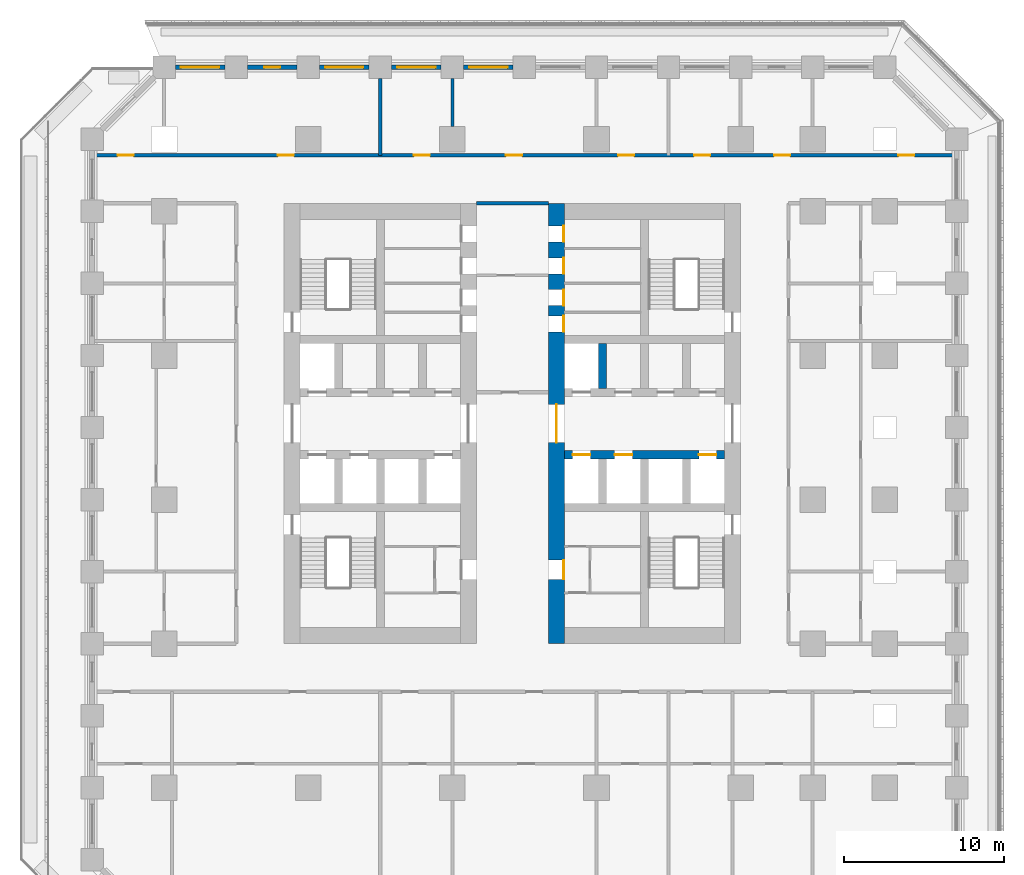
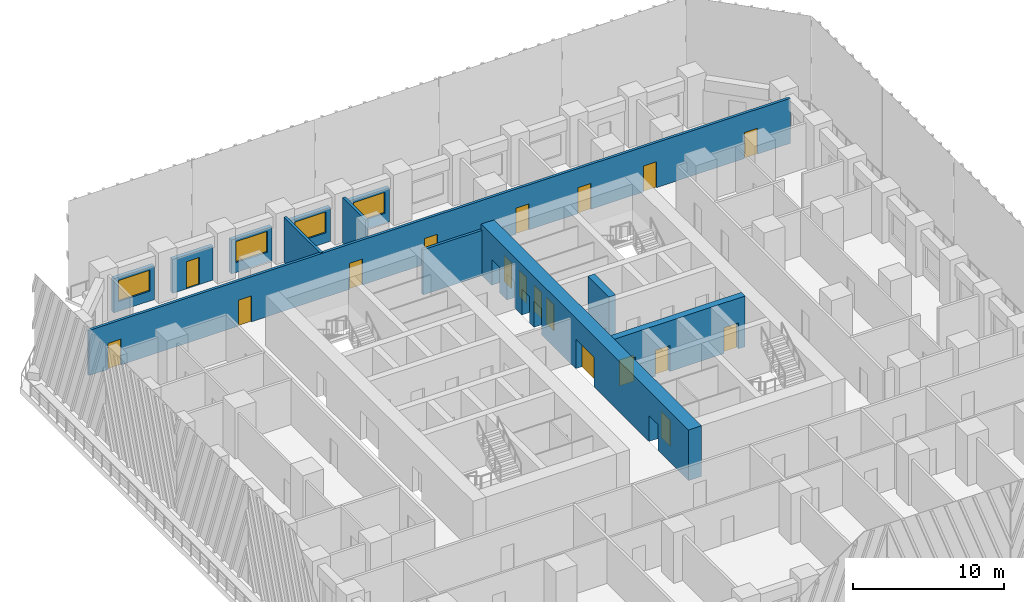
# One storey, part 7 of 15: 18 doors, 12 walls, 4 windows, 22 openings.
"""IFC4 building model written with IfcOpenShell, lengths in metres."""

from ifc_helpers import new_model, si_unit, direction, frame, frame_2d, origin, place, context, subcontext, project, spatial, rectangle, extrude, material, layer, layer_set, type_object, element, fill, save


model = new_model("IFC4")

# Units and contexts
model_context = context("Model", 3, precision=1e-05, world=origin(), true_north=direction((0.0, 1.0)))
body_context = subcontext(model_context, "Body", "Model", "MODEL_VIEW")
ifc_project = project(units=[si_unit("LENGTHUNIT", "METRE"), si_unit("AREAUNIT", "SQUARE_METRE"), si_unit("VOLUMEUNIT", "CUBIC_METRE"), si_unit("PLANEANGLEUNIT", "RADIAN"), si_unit("MASSUNIT", "GRAM", prefix="KILO")], contexts=[model_context])

# Site, building, storey
site_placement = place(None, origin())
site = spatial("IfcSite", under=ifc_project, at=site_placement, CompositionType="ELEMENT")
building_placement = place(site_placement, origin())
building = spatial("IfcBuilding", under=site, at=building_placement, Name="Corbel Stack Research Tower", CompositionType="ELEMENT")
storey_placement = place(building_placement, frame((0.0, 0.0, 41.89990234375)))
storey = spatial("IfcBuildingStorey", under=building, at=storey_placement, Name="L09", CompositionType="ELEMENT", Elevation=41.89990234375)

# Wall, openings, doors
ifc_material_1 = material(Name="Concrete C70/85", Category="concrete")
ifc_layer_1 = layer(ifc_material_1, 1.0)
ifc_layer_set_1 = layer_set([ifc_layer_1], Name="Concrete C70/85")
wall_type_1 = type_object("IfcWallType", Name="CW-1000-70", PredefinedType="SHEAR", material=ifc_layer_set_1)
wall_1_placement = place(storey_placement, frame((6.5, -9.0, 0.0), z_axis=(0.0, 0.0, 1.0), x_axis=(0.0, 1.0, 0.0)))
wall_1 = element("IfcWall", 1, at=wall_1_placement, inside=storey, type_object=wall_type_1, Name="East core wall, west face L09", PredefinedType="SHEAR", context=body_context, shape_type="SweptSolid", body=[
    extrude(rectangle(XDim=27.5, YDim=1.0, at=frame_2d((13.75, 0.0))), origin(), (0.0, 0.0, 1.0), 4.10009765625),
])
opening_1_placement = place(wall_1_placement, frame((12.550048828125, 0.0, 0.0)))
opening_1 = element("IfcOpeningElement", 2, at=opening_1_placement, cuts=wall_1, Name="Opening CD-E-W", PredefinedType="OPENING", context=body_context, shape_type="SweptSolid", body=[
    extrude(rectangle(XDim=2.39990234375, YDim=2.39990234375, at=frame_2d((1.199951171875, 1.199951171875))), frame((0.0, 0.510009765625, 0.0), z_axis=(0.0, -1.0, 0.0), x_axis=(1.0, 0.0, 0.0)), (0.0, 0.0, 1.0), 1.02001953125),
])
opening_2_placement = place(wall_1_placement, frame((4.02490234375, 0.0, 0.0)))
opening_2 = element("IfcOpeningElement", 3, at=opening_2_placement, cuts=wall_1, Name="Opening CR-E36-W1-1200", PredefinedType="OPENING", context=body_context, shape_type="SweptSolid", body=[
    extrude(rectangle(XDim=1.199951171875, YDim=2.10009765625, at=frame_2d((0.60009765625, 1.050048828125))), frame((0.0, 0.510009765625, 0.0), z_axis=(0.0, -1.0, 0.0), x_axis=(1.0, 0.0, 0.0)), (0.0, 0.0, 1.0), 1.02001953125),
])
opening_3_placement = place(wall_1_placement, frame((19.47509765625, 0.0, 0.0)))
opening_3 = element("IfcOpeningElement", 4, at=opening_3_placement, cuts=wall_1, Name="Opening CR-E36-R1-1000", PredefinedType="OPENING", context=body_context, shape_type="SweptSolid", body=[
    extrude(rectangle(XDim=1.0, YDim=2.10009765625, at=frame_2d((0.5, 1.050048828125))), frame((0.0, 0.510009765625, 0.0), z_axis=(0.0, -1.0, 0.0), x_axis=(1.0, 0.0, 0.0)), (0.0, 0.0, 1.0), 1.02001953125),
])
opening_4_placement = place(wall_1_placement, frame((21.106201171875, 0.0, 0.0)))
opening_4 = element("IfcOpeningElement", 5, at=opening_4_placement, cuts=wall_1, Name="Opening CR-E36-R2-1000", PredefinedType="OPENING", context=body_context, shape_type="SweptSolid", body=[
    extrude(rectangle(XDim=1.0, YDim=2.10009765625, at=frame_2d((0.5, 1.050048828125))), frame((0.0, 0.510009765625, 0.0), z_axis=(0.0, -1.0, 0.0), x_axis=(1.0, 0.0, 0.0)), (0.0, 0.0, 1.0), 1.02001953125),
])
opening_5_placement = place(wall_1_placement, frame((23.10009765625, 0.0, 0.0)))
opening_5 = element("IfcOpeningElement", 6, at=opening_5_placement, cuts=wall_1, Name="Opening CR-E36-R3-1000", PredefinedType="OPENING", context=body_context, shape_type="SweptSolid", body=[
    extrude(rectangle(XDim=1.0, YDim=2.10009765625, at=frame_2d((0.5, 1.050048828125))), frame((0.0, 0.510009765625, 0.0), z_axis=(0.0, -1.0, 0.0), x_axis=(1.0, 0.0, 0.0)), (0.0, 0.0, 1.0), 1.02001953125),
])
opening_6_placement = place(wall_1_placement, frame((25.09375, 0.0, 0.0)))
opening_6 = element("IfcOpeningElement", 7, at=opening_6_placement, cuts=wall_1, Name="Opening CR-E36-R4-1000", PredefinedType="OPENING", context=body_context, shape_type="SweptSolid", body=[
    extrude(rectangle(XDim=1.0, YDim=2.10009765625, at=frame_2d((0.5, 1.050048828125))), frame((0.0, 0.510009765625, 0.0), z_axis=(0.0, -1.0, 0.0), x_axis=(1.0, 0.0, 0.0)), (0.0, 0.0, 1.0), 1.02001953125),
])
ifc_material_2 = material(Name="Painted steel fire door", Category="steel")
door_type_1 = type_object("IfcDoorType", Name="Lobby door pair 2400 x 2400 FD30S", OperationType="DOUBLE_DOOR_DOUBLE_SWING", PredefinedType="DOOR", material=ifc_material_2)
door_1_placement = place(opening_1_placement, origin())
door_1 = element("IfcDoor", 8, at=door_1_placement, inside=storey, type_object=door_type_1, Name="Lift lobby door E core W", OperationType="DOUBLE_DOOR_DOUBLE_SWING", OverallHeight=2.39990234375, OverallWidth=2.39990234375, PredefinedType="DOOR", context=body_context, shape_type="SweptSolid", body=[
    extrude(rectangle(XDim=2.39990234375, YDim=2.39990234375, at=frame_2d((1.199951171875, 1.199951171875))), frame((0.0, 0.02490234375, 0.0), z_axis=(0.0, -1.0, 0.0), x_axis=(1.0, 0.0, 0.0)), (0.0, 0.0, 1.0), 0.050048828125),
])
fill(opening_1, door_1)
ifc_material_3 = material(Name="Painted steel door", Category="steel")
door_type_2 = type_object("IfcDoorType", Name="Riser door 1000 x 2100 FD60 left hand", OperationType="SINGLE_SWING_LEFT", PredefinedType="DOOR", material=ifc_material_3)
door_2_placement = place(opening_4_placement, origin())
door_2 = element("IfcDoor", 9, at=door_2_placement, inside=storey, type_object=door_type_2, Name="Telecom room door E core", OperationType="SINGLE_SWING_LEFT", OverallHeight=2.10009765625, OverallWidth=1.0, PredefinedType="DOOR", context=body_context, shape_type="SweptSolid", body=[
    extrude(rectangle(XDim=1.0, YDim=2.10009765625, at=frame_2d((0.5, 1.050048828125))), frame((0.0, -0.4248046875, 0.0), z_axis=(0.0, -1.0, 0.0), x_axis=(1.0, 0.0, 0.0)), (0.0, 0.0, 1.0), 0.050048828125),
])
fill(opening_4, door_2)
ifc_material_4 = material(Name="Painted steel door", Category="steel")
door_type_3 = type_object("IfcDoorType", Name="Riser door 1000 x 2100 FD60 right hand", OperationType="SINGLE_SWING_RIGHT", PredefinedType="DOOR", material=ifc_material_4)
door_3_placement = place(opening_3_placement, origin())
door_3 = element("IfcDoor", 10, at=door_3_placement, inside=storey, type_object=door_type_3, Name="Electrical riser door E core", OperationType="SINGLE_SWING_RIGHT", OverallHeight=2.10009765625, OverallWidth=1.0, PredefinedType="DOOR", context=body_context, shape_type="SweptSolid", body=[
    extrude(rectangle(XDim=1.0, YDim=2.10009765625, at=frame_2d((0.5, 1.050048828125))), frame((0.0, -0.4248046875, 0.0), z_axis=(0.0, -1.0, 0.0), x_axis=(1.0, 0.0, 0.0)), (0.0, 0.0, 1.0), 0.050048828125),
])
fill(opening_3, door_3)
ifc_material_5 = material(Name="Painted steel door", Category="steel")
door_type_4 = type_object("IfcDoorType", Name="Service door 1000 x 2100 FD30 left hand", OperationType="SINGLE_SWING_LEFT", PredefinedType="DOOR", material=ifc_material_5)
door_4_placement = place(opening_6_placement, origin())
door_4 = element("IfcDoor", 11, at=door_4_placement, inside=storey, type_object=door_type_4, Name="Cleaner's store door E core", OperationType="SINGLE_SWING_LEFT", OverallHeight=2.10009765625, OverallWidth=1.0, PredefinedType="DOOR", context=body_context, shape_type="SweptSolid", body=[
    extrude(rectangle(XDim=1.0, YDim=2.10009765625, at=frame_2d((0.5, 1.050048828125))), frame((0.0, -0.4248046875, 0.0), z_axis=(0.0, -1.0, 0.0), x_axis=(1.0, 0.0, 0.0)), (0.0, 0.0, 1.0), 0.050048828125),
])
fill(opening_6, door_4)
ifc_material_6 = material(Name="Painted steel door", Category="steel")
door_type_5 = type_object("IfcDoorType", Name="Service door 1000 x 2100 FD30 right hand", OperationType="SINGLE_SWING_RIGHT", PredefinedType="DOOR", material=ifc_material_6)
door_5_placement = place(opening_5_placement, origin())
door_5 = element("IfcDoor", 12, at=door_5_placement, inside=storey, type_object=door_type_5, Name="Pantry door E core", OperationType="SINGLE_SWING_RIGHT", OverallHeight=2.10009765625, OverallWidth=1.0, PredefinedType="DOOR", context=body_context, shape_type="SweptSolid", body=[
    extrude(rectangle(XDim=1.0, YDim=2.10009765625, at=frame_2d((0.5, 1.050048828125))), frame((0.0, -0.4248046875, 0.0), z_axis=(0.0, -1.0, 0.0), x_axis=(1.0, 0.0, 0.0)), (0.0, 0.0, 1.0), 0.050048828125),
])
fill(opening_5, door_5)
ifc_material_7 = material(Name="Painted timber door", Category="wood")
door_type_6 = type_object("IfcDoorType", Name="WC door 1200 x 2100 right hand", OperationType="SINGLE_SWING_RIGHT", PredefinedType="DOOR", material=ifc_material_7)
door_6_placement = place(opening_2_placement, origin())
door_6 = element("IfcDoor", 13, at=door_6_placement, inside=storey, type_object=door_type_6, Name="WC lobby door E core", OperationType="SINGLE_SWING_RIGHT", OverallHeight=2.10009765625, OverallWidth=1.199951171875, PredefinedType="DOOR", context=body_context, shape_type="SweptSolid", body=[
    extrude(rectangle(XDim=1.199951171875, YDim=2.10009765625, at=frame_2d((0.60009765625, 1.050048828125))), frame((0.0, -0.4248046875, 0.0), z_axis=(0.0, -1.0, 0.0), x_axis=(1.0, 0.0, 0.0)), (0.0, 0.0, 1.0), 0.050048828125),
])
fill(opening_2, door_6)

ifc_material_8 = material(Name="Concrete C70/85", Category="concrete")
ifc_layer_2 = layer(ifc_material_8, 0.5)
ifc_layer_set_2 = layer_set([ifc_layer_2], Name="Concrete C70/85")
wall_type_2 = type_object("IfcWallType", Name="CW-500-70", PredefinedType="SHEAR", material=ifc_layer_set_2)
wall_2_placement = place(storey_placement, frame((7.0, 2.800048828125, 0.0), z_axis=(0.0, 0.0, 1.0), x_axis=(1.0, 0.0, 0.0)))
wall_2 = element("IfcWall", 14, at=wall_2_placement, inside=storey, type_object=wall_type_2, Name="East core wall, lobby south L09", PredefinedType="SHEAR", context=body_context, shape_type="SweptSolid", body=[
    extrude(rectangle(XDim=10.0, YDim=0.5, at=frame_2d((5.0, 0.0))), origin(), (0.0, 0.0, 1.0), 4.10009765625),
])
opening_7_placement = place(wall_2_placement, frame((0.512451171875, 0.0, 0.0)))
opening_7 = element("IfcOpeningElement", 15, at=opening_7_placement, cuts=wall_2, Name="Opening LD-FS2", PredefinedType="OPENING", context=body_context, shape_type="SweptSolid", body=[
    extrude(rectangle(XDim=1.10009765625, YDim=2.10009765625, at=frame_2d((0.550048828125, 1.050048828125))), frame((0.0, 0.260009765625, 0.0), z_axis=(0.0, -1.0, 0.0), x_axis=(1.0, 0.0, 0.0)), (0.0, 0.0, 1.0), 0.52001953125),
])
opening_8_placement = place(wall_2_placement, frame((3.137451171875, 0.0, 0.0)))
opening_8 = element("IfcOpeningElement", 16, at=opening_8_placement, cuts=wall_2, Name="Opening LD-GL2", PredefinedType="OPENING", context=body_context, shape_type="SweptSolid", body=[
    extrude(rectangle(XDim=1.10009765625, YDim=2.10009765625, at=frame_2d((0.550048828125, 1.050048828125))), frame((0.0, 0.260009765625, 0.0), z_axis=(0.0, -1.0, 0.0), x_axis=(1.0, 0.0, 0.0)), (0.0, 0.0, 1.0), 0.52001953125),
])
opening_9_placement = place(wall_2_placement, frame((8.387451171875, 0.0, 0.0)))
opening_9 = element("IfcOpeningElement", 17, at=opening_9_placement, cuts=wall_2, Name="Opening LD-LR3", PredefinedType="OPENING", context=body_context, shape_type="SweptSolid", body=[
    extrude(rectangle(XDim=1.10009765625, YDim=2.10009765625, at=frame_2d((0.550048828125, 1.050048828125))), frame((0.0, 0.260009765625, 0.0), z_axis=(0.0, -1.0, 0.0), x_axis=(1.0, 0.0, 0.0)), (0.0, 0.0, 1.0), 0.52001953125),
])
ifc_material_9 = material(Name="Stainless steel landing door", Category="steel")
door_type_7 = type_object("IfcDoorType", Name="Lift landing door 1100 x 2100", OperationType="DOUBLE_DOOR_SLIDING", PredefinedType="DOOR", material=ifc_material_9)
door_7_placement = place(opening_7_placement, origin())
door_7 = element("IfcDoor", 18, at=door_7_placement, inside=storey, type_object=door_type_7, Name="Landing door FS2", OperationType="DOUBLE_DOOR_SLIDING", OverallHeight=2.10009765625, OverallWidth=1.10009765625, PredefinedType="DOOR", context=body_context, shape_type="SweptSolid", body=[
    extrude(rectangle(XDim=1.10009765625, YDim=2.10009765625, at=frame_2d((0.550048828125, 1.050048828125))), frame((0.0, 0.02490234375, 0.0), z_axis=(0.0, -1.0, 0.0), x_axis=(1.0, 0.0, 0.0)), (0.0, 0.0, 1.0), 0.050048828125),
])
fill(opening_7, door_7)
door_8_placement = place(opening_8_placement, origin())
door_8 = element("IfcDoor", 19, at=door_8_placement, inside=storey, type_object=door_type_7, Name="Landing door GL2", OperationType="DOUBLE_DOOR_SLIDING", OverallHeight=2.10009765625, OverallWidth=1.10009765625, PredefinedType="DOOR", context=body_context, shape_type="SweptSolid", body=[
    extrude(rectangle(XDim=1.10009765625, YDim=2.10009765625, at=frame_2d((0.550048828125, 1.050048828125))), frame((0.0, 0.02490234375, 0.0), z_axis=(0.0, -1.0, 0.0), x_axis=(1.0, 0.0, 0.0)), (0.0, 0.0, 1.0), 0.050048828125),
])
fill(opening_8, door_8)
door_9_placement = place(opening_9_placement, origin())
door_9 = element("IfcDoor", 20, at=door_9_placement, inside=storey, type_object=door_type_7, Name="Landing door LR3", OperationType="DOUBLE_DOOR_SLIDING", OverallHeight=2.10009765625, OverallWidth=1.10009765625, PredefinedType="DOOR", context=body_context, shape_type="SweptSolid", body=[
    extrude(rectangle(XDim=1.10009765625, YDim=2.10009765625, at=frame_2d((0.550048828125, 1.050048828125))), frame((0.0, 0.02490234375, 0.0), z_axis=(0.0, -1.0, 0.0), x_axis=(1.0, 0.0, 0.0)), (0.0, 0.0, 1.0), 0.050048828125),
])
fill(opening_9, door_9)

# Walls
wall_3_placement = place(storey_placement, frame((9.375, 6.949951171875, 0.0), z_axis=(0.0, 0.0, 1.0), x_axis=(0.0, 1.0, 0.0)))
element("IfcWall", 21, at=wall_3_placement, inside=storey, type_object=wall_type_2, Name="East core wall, north shaft 1 L09", PredefinedType="SHEAR", context=body_context, shape_type="SweptSolid", body=[
    extrude(rectangle(XDim=2.800048828125, YDim=0.5, at=frame_2d((1.39990234375, 0.0))), origin(), (0.0, 0.0, 1.0), 4.10009765625),
])
ifc_material_10 = material(Name="Fire-rated gypsum board partition on steel studs", Category="steel")
ifc_layer_3 = layer(ifc_material_10, 0.199951171875)
ifc_layer_set_3 = layer_set([ifc_layer_3], Name="Fire-rated gypsum board partition on steel studs")
wall_type_3 = type_object("IfcWallType", Name="Fire-rated partition 200 EI 60", PredefinedType="PARTITIONING", material=ifc_layer_set_3)
wall_4_placement = place(storey_placement, frame((-4.5, 21.5, 0.0), z_axis=(0.0, 0.0, 1.0), x_axis=(0.0, 1.0, 0.0)))
element("IfcWall", 22, at=wall_4_placement, inside=storey, type_object=wall_type_3, Name="Partition L09-010", PredefinedType="PARTITIONING", context=body_context, shape_type="SweptSolid", body=[
    extrude(rectangle(XDim=4.800048828125, YDim=0.199951171875, at=frame_2d((2.39990234375, 0.0))), origin(), (0.0, 0.0, 1.0), 3.650146484375),
])
wall_5_placement = place(storey_placement, frame((0.0, 23.300048828125, 0.0), z_axis=(0.0, 0.0, 1.0), x_axis=(0.0, 1.0, 0.0)))
element("IfcWall", 23, at=wall_5_placement, inside=storey, type_object=wall_type_3, Name="Partition L09-013", PredefinedType="PARTITIONING", context=body_context, shape_type="SweptSolid", body=[
    extrude(rectangle(XDim=3.0, YDim=0.199951171875, at=frame_2d((1.5, 0.0))), origin(), (0.0, 0.0, 1.0), 3.650146484375),
])
wall_6_placement = place(storey_placement, frame((1.5, 18.5, 0.0), z_axis=(0.0, 0.0, 1.0), x_axis=(1.0, 0.0, 0.0)))
element("IfcWall", 24, at=wall_6_placement, inside=storey, type_object=wall_type_3, Name="Partition L09-046", PredefinedType="PARTITIONING", context=body_context, shape_type="SweptSolid", body=[
    extrude(rectangle(XDim=4.5, YDim=0.199951171875, at=frame_2d((2.25, 0.0))), origin(), (0.0, 0.0, 1.0), 3.650146484375),
])

# Wall, openings, doors
wall_7_placement = place(storey_placement, frame((-22.35009765625, 21.5, 0.0), z_axis=(0.0, 0.0, 1.0), x_axis=(1.0, 0.0, 0.0)))
wall_7 = element("IfcWall", 25, at=wall_7_placement, inside=storey, type_object=wall_type_3, Name="Partition L09-050", PredefinedType="PARTITIONING", context=body_context, shape_type="SweptSolid", body=[
    extrude(rectangle(XDim=53.7001953125, YDim=0.199951171875, at=frame_2d((26.85009765625, 0.0))), origin(), (0.0, 0.0, 1.0), 3.650146484375),
])
opening_10_placement = place(wall_7_placement, frame((1.449951171875, 0.0, 0.0)))
opening_10 = element("IfcOpeningElement", 26, at=opening_10_placement, cuts=wall_7, Name="Opening B2V0H-031", PredefinedType="OPENING", context=body_context, shape_type="SweptSolid", body=[
    extrude(rectangle(XDim=1.0, YDim=2.10009765625, at=frame_2d((0.5, 1.050048828125))), frame((0.0, 0.10986328125, 0.0), z_axis=(0.0, -1.0, 0.0), x_axis=(1.0, 0.0, 0.0)), (0.0, 0.0, 1.0), 0.219970703125),
])
opening_11_placement = place(wall_7_placement, frame((11.449951171875, 0.0, 0.0)))
opening_11 = element("IfcOpeningElement", 27, at=opening_11_placement, cuts=wall_7, Name="Opening B2V0H-032", PredefinedType="OPENING", context=body_context, shape_type="SweptSolid", body=[
    extrude(rectangle(XDim=1.0, YDim=2.10009765625, at=frame_2d((0.5, 1.050048828125))), frame((0.0, 0.10986328125, 0.0), z_axis=(0.0, -1.0, 0.0), x_axis=(1.0, 0.0, 0.0)), (0.0, 0.0, 1.0), 0.219970703125),
])
opening_12_placement = place(wall_7_placement, frame((19.949951171875, 0.0, 0.0)))
opening_12 = element("IfcOpeningElement", 28, at=opening_12_placement, cuts=wall_7, Name="Opening B2V0H-033", PredefinedType="OPENING", context=body_context, shape_type="SweptSolid", body=[
    extrude(rectangle(XDim=1.0, YDim=2.10009765625, at=frame_2d((0.5, 1.050048828125))), frame((0.0, 0.10986328125, 0.0), z_axis=(0.0, -1.0, 0.0), x_axis=(1.0, 0.0, 0.0)), (0.0, 0.0, 1.0), 0.219970703125),
])
opening_13_placement = place(wall_7_placement, frame((25.699951171875, 0.0, 0.0)))
opening_13 = element("IfcOpeningElement", 29, at=opening_13_placement, cuts=wall_7, Name="Opening B2V0H-034", PredefinedType="OPENING", context=body_context, shape_type="SweptSolid", body=[
    extrude(rectangle(XDim=1.0, YDim=2.10009765625, at=frame_2d((0.5, 1.050048828125))), frame((0.0, 0.10986328125, 0.0), z_axis=(0.0, -1.0, 0.0), x_axis=(1.0, 0.0, 0.0)), (0.0, 0.0, 1.0), 0.219970703125),
])
opening_14_placement = place(wall_7_placement, frame((32.699951171875, 0.0, 0.0)))
opening_14 = element("IfcOpeningElement", 30, at=opening_14_placement, cuts=wall_7, Name="Opening B2V0H-035", PredefinedType="OPENING", context=body_context, shape_type="SweptSolid", body=[
    extrude(rectangle(XDim=1.0, YDim=2.10009765625, at=frame_2d((0.5, 1.050048828125))), frame((0.0, 0.10986328125, 0.0), z_axis=(0.0, -1.0, 0.0), x_axis=(1.0, 0.0, 0.0)), (0.0, 0.0, 1.0), 0.219970703125),
])
opening_15_placement = place(wall_7_placement, frame((37.449951171875, 0.0, 0.0)))
opening_15 = element("IfcOpeningElement", 31, at=opening_15_placement, cuts=wall_7, Name="Opening B2V0H-036", PredefinedType="OPENING", context=body_context, shape_type="SweptSolid", body=[
    extrude(rectangle(XDim=1.0, YDim=2.10009765625, at=frame_2d((0.5, 1.050048828125))), frame((0.0, 0.10986328125, 0.0), z_axis=(0.0, -1.0, 0.0), x_axis=(1.0, 0.0, 0.0)), (0.0, 0.0, 1.0), 0.219970703125),
])
opening_16_placement = place(wall_7_placement, frame((42.449951171875, 0.0, 0.0)))
opening_16 = element("IfcOpeningElement", 32, at=opening_16_placement, cuts=wall_7, Name="Opening B2V0H-037", PredefinedType="OPENING", context=body_context, shape_type="SweptSolid", body=[
    extrude(rectangle(XDim=1.0, YDim=2.10009765625, at=frame_2d((0.5, 1.050048828125))), frame((0.0, 0.10986328125, 0.0), z_axis=(0.0, -1.0, 0.0), x_axis=(1.0, 0.0, 0.0)), (0.0, 0.0, 1.0), 0.219970703125),
])
opening_17_placement = place(wall_7_placement, frame((50.199951171875, 0.0, 0.0)))
opening_17 = element("IfcOpeningElement", 33, at=opening_17_placement, cuts=wall_7, Name="Opening B2V0H-038", PredefinedType="OPENING", context=body_context, shape_type="SweptSolid", body=[
    extrude(rectangle(XDim=1.0, YDim=2.10009765625, at=frame_2d((0.5, 1.050048828125))), frame((0.0, 0.10986328125, 0.0), z_axis=(0.0, -1.0, 0.0), x_axis=(1.0, 0.0, 0.0)), (0.0, 0.0, 1.0), 0.219970703125),
])
ifc_material_11 = material(Name="Painted steel fire door", Category="steel")
door_type_8 = type_object("IfcDoorType", Name="Fire door FD30S 1000 x 2100", OperationType="NOTDEFINED", PredefinedType="DOOR", material=ifc_material_11)
door_10_placement = place(opening_10_placement, origin())
door_10 = element("IfcDoor", 34, at=door_10_placement, inside=storey, type_object=door_type_8, Name="Door B2V0H-031", OperationType="SINGLE_SWING_LEFT", OverallHeight=2.10009765625, OverallWidth=1.0, PredefinedType="DOOR", context=body_context, shape_type="SweptSolid", body=[
    extrude(rectangle(XDim=1.0, YDim=2.10009765625, at=frame_2d((0.5, 1.050048828125))), frame((0.0, 0.02490234375, 0.0), z_axis=(0.0, -1.0, 0.0), x_axis=(1.0, 0.0, 0.0)), (0.0, 0.0, 1.0), 0.050048828125),
])
fill(opening_10, door_10)
door_11_placement = place(opening_11_placement, origin())
door_11 = element("IfcDoor", 35, at=door_11_placement, inside=storey, type_object=door_type_8, Name="Door B2V0H-032", OperationType="SINGLE_SWING_LEFT", OverallHeight=2.10009765625, OverallWidth=1.0, PredefinedType="DOOR", context=body_context, shape_type="SweptSolid", body=[
    extrude(rectangle(XDim=1.0, YDim=2.10009765625, at=frame_2d((0.5, 1.050048828125))), frame((0.0, 0.02490234375, 0.0), z_axis=(0.0, -1.0, 0.0), x_axis=(1.0, 0.0, 0.0)), (0.0, 0.0, 1.0), 0.050048828125),
])
fill(opening_11, door_11)
door_12_placement = place(opening_12_placement, origin())
door_12 = element("IfcDoor", 36, at=door_12_placement, inside=storey, type_object=door_type_8, Name="Door B2V0H-033", OperationType="SINGLE_SWING_LEFT", OverallHeight=2.10009765625, OverallWidth=1.0, PredefinedType="DOOR", context=body_context, shape_type="SweptSolid", body=[
    extrude(rectangle(XDim=1.0, YDim=2.10009765625, at=frame_2d((0.5, 1.050048828125))), frame((0.0, 0.02490234375, 0.0), z_axis=(0.0, -1.0, 0.0), x_axis=(1.0, 0.0, 0.0)), (0.0, 0.0, 1.0), 0.050048828125),
])
fill(opening_12, door_12)
door_13_placement = place(opening_13_placement, origin())
door_13 = element("IfcDoor", 37, at=door_13_placement, inside=storey, type_object=door_type_8, Name="Door B2V0H-034", OperationType="SINGLE_SWING_LEFT", OverallHeight=2.10009765625, OverallWidth=1.0, PredefinedType="DOOR", context=body_context, shape_type="SweptSolid", body=[
    extrude(rectangle(XDim=1.0, YDim=2.10009765625, at=frame_2d((0.5, 1.050048828125))), frame((0.0, 0.02490234375, 0.0), z_axis=(0.0, -1.0, 0.0), x_axis=(1.0, 0.0, 0.0)), (0.0, 0.0, 1.0), 0.050048828125),
])
fill(opening_13, door_13)
door_14_placement = place(opening_14_placement, origin())
door_14 = element("IfcDoor", 38, at=door_14_placement, inside=storey, type_object=door_type_8, Name="Door B2V0H-035", OperationType="SINGLE_SWING_RIGHT", OverallHeight=2.10009765625, OverallWidth=1.0, PredefinedType="DOOR", context=body_context, shape_type="SweptSolid", body=[
    extrude(rectangle(XDim=1.0, YDim=2.10009765625, at=frame_2d((0.5, 1.050048828125))), frame((0.0, 0.02490234375, 0.0), z_axis=(0.0, -1.0, 0.0), x_axis=(1.0, 0.0, 0.0)), (0.0, 0.0, 1.0), 0.050048828125),
])
fill(opening_14, door_14)
door_15_placement = place(opening_15_placement, origin())
door_15 = element("IfcDoor", 39, at=door_15_placement, inside=storey, type_object=door_type_8, Name="Door B2V0H-036", OperationType="SINGLE_SWING_RIGHT", OverallHeight=2.10009765625, OverallWidth=1.0, PredefinedType="DOOR", context=body_context, shape_type="SweptSolid", body=[
    extrude(rectangle(XDim=1.0, YDim=2.10009765625, at=frame_2d((0.5, 1.050048828125))), frame((0.0, 0.02490234375, 0.0), z_axis=(0.0, -1.0, 0.0), x_axis=(1.0, 0.0, 0.0)), (0.0, 0.0, 1.0), 0.050048828125),
])
fill(opening_15, door_15)
door_16_placement = place(opening_16_placement, origin())
door_16 = element("IfcDoor", 40, at=door_16_placement, inside=storey, type_object=door_type_8, Name="Door B2V0H-037", OperationType="SINGLE_SWING_RIGHT", OverallHeight=2.10009765625, OverallWidth=1.0, PredefinedType="DOOR", context=body_context, shape_type="SweptSolid", body=[
    extrude(rectangle(XDim=1.0, YDim=2.10009765625, at=frame_2d((0.5, 1.050048828125))), frame((0.0, 0.02490234375, 0.0), z_axis=(0.0, -1.0, 0.0), x_axis=(1.0, 0.0, 0.0)), (0.0, 0.0, 1.0), 0.050048828125),
])
fill(opening_16, door_16)
door_17_placement = place(opening_17_placement, origin())
door_17 = element("IfcDoor", 41, at=door_17_placement, inside=storey, type_object=door_type_8, Name="Door B2V0H-038", OperationType="SINGLE_SWING_RIGHT", OverallHeight=2.10009765625, OverallWidth=1.0, PredefinedType="DOOR", context=body_context, shape_type="SweptSolid", body=[
    extrude(rectangle(XDim=1.0, YDim=2.10009765625, at=frame_2d((0.5, 1.050048828125))), frame((0.0, 0.02490234375, 0.0), z_axis=(0.0, -1.0, 0.0), x_axis=(1.0, 0.0, 0.0)), (0.0, 0.0, 1.0), 0.050048828125),
])
fill(opening_17, door_17)

# Wall, opening, window
ifc_material_12 = material(Name="Concrete C45/55", Category="concrete")
ifc_layer_4 = layer(ifc_material_12, 0.300048828125)
ifc_layer_set_4 = layer_set([ifc_layer_4], Name="Concrete C45/55")
wall_type_4 = type_object("IfcWallType", Name="Terracotta-faced concrete wall 300", PredefinedType="SOLIDWALL", material=ifc_layer_set_4)
wall_8_placement = place(storey_placement, frame((0.699951171875, 27.0, 0.0), z_axis=(0.0, 0.0, 1.0), x_axis=(1.0, 0.0, 0.0)))
wall_8 = element("IfcWall", 42, at=wall_8_placement, inside=storey, type_object=wall_type_4, Name="Facade wall L09 N06", PredefinedType="SOLIDWALL", context=body_context, shape_type="SweptSolid", body=[
    extrude(rectangle(XDim=3.10009765625, YDim=0.300048828125, at=frame_2d((1.550048828125, 0.0))), origin(), (0.0, 0.0, 1.0), 2.75),
])
opening_18_placement = place(wall_8_placement, frame((0.35009765625, 0.0, 0.800048828125)))
opening_18 = element("IfcOpeningElement", 43, at=opening_18_placement, cuts=wall_8, Name="Opening W1", PredefinedType="OPENING", context=body_context, shape_type="SweptSolid", body=[
    extrude(rectangle(XDim=2.39990234375, YDim=1.699951171875, at=frame_2d((1.199951171875, 0.85009765625))), frame((0.0, 0.159912109375, 0.0), z_axis=(0.0, -1.0, 0.0), x_axis=(1.0, 0.0, 0.0)), (0.0, 0.0, 1.0), 0.320068359375),
])
ifc_material_13 = material(Name="Aluminium frame, clear double glazing", Category="aluminium")
window_type = type_object("IfcWindowType", Name="Window W1 2400 x 1700", PartitioningType="SINGLE_PANEL", PredefinedType="WINDOW", material=ifc_material_13)
window_1_placement = place(opening_18_placement, origin())
window_1 = element("IfcWindow", 44, at=window_1_placement, inside=storey, type_object=window_type, Name="Window W1 L09 N06", OverallHeight=1.699951171875, OverallWidth=2.39990234375, PartitioningType="SINGLE_PANEL", PredefinedType="WINDOW", context=body_context, shape_type="SweptSolid", body=[
    extrude(rectangle(XDim=2.39990234375, YDim=1.699951171875, at=frame_2d((1.199951171875, 0.85009765625))), frame((0.0, 0.030029296875, 0.0), z_axis=(0.0, -1.0, 0.0), x_axis=(1.0, 0.0, 0.0)), (0.0, 0.0, 1.0), 0.06005859375),
])
fill(opening_18, window_1)

wall_9_placement = place(storey_placement, frame((-3.800048828125, 27.0, 0.0), z_axis=(0.0, 0.0, 1.0), x_axis=(1.0, 0.0, 0.0)))
wall_9 = element("IfcWall", 45, at=wall_9_placement, inside=storey, type_object=wall_type_4, Name="Facade wall L09 N07", PredefinedType="SOLIDWALL", context=body_context, shape_type="SweptSolid", body=[
    extrude(rectangle(XDim=3.10009765625, YDim=0.300048828125, at=frame_2d((1.550048828125, 0.0))), origin(), (0.0, 0.0, 1.0), 2.75),
])
opening_19_placement = place(wall_9_placement, frame((0.35009765625, 0.0, 0.800048828125)))
opening_19 = element("IfcOpeningElement", 46, at=opening_19_placement, cuts=wall_9, Name="Opening W1", PredefinedType="OPENING", context=body_context, shape_type="SweptSolid", body=[
    extrude(rectangle(XDim=2.39990234375, YDim=1.699951171875, at=frame_2d((1.199951171875, 0.85009765625))), frame((0.0, 0.159912109375, 0.0), z_axis=(0.0, -1.0, 0.0), x_axis=(1.0, 0.0, 0.0)), (0.0, 0.0, 1.0), 0.320068359375),
])
window_2_placement = place(opening_19_placement, origin())
window_2 = element("IfcWindow", 47, at=window_2_placement, inside=storey, type_object=window_type, Name="Window W1 L09 N07", OverallHeight=1.699951171875, OverallWidth=2.39990234375, PartitioningType="SINGLE_PANEL", PredefinedType="WINDOW", context=body_context, shape_type="SweptSolid", body=[
    extrude(rectangle(XDim=2.39990234375, YDim=1.699951171875, at=frame_2d((1.199951171875, 0.85009765625))), frame((0.0, 0.030029296875, 0.0), z_axis=(0.0, -1.0, 0.0), x_axis=(1.0, 0.0, 0.0)), (0.0, 0.0, 1.0), 0.06005859375),
])
fill(opening_19, window_2)

wall_10_placement = place(storey_placement, frame((-8.300048828125, 27.0, 0.0), z_axis=(0.0, 0.0, 1.0), x_axis=(1.0, 0.0, 0.0)))
wall_10 = element("IfcWall", 48, at=wall_10_placement, inside=storey, type_object=wall_type_4, Name="Facade wall L09 N08", PredefinedType="SOLIDWALL", context=body_context, shape_type="SweptSolid", body=[
    extrude(rectangle(XDim=3.10009765625, YDim=0.300048828125, at=frame_2d((1.550048828125, 0.0))), origin(), (0.0, 0.0, 1.0), 2.75),
])
opening_20_placement = place(wall_10_placement, frame((0.35009765625, 0.0, 0.800048828125)))
opening_20 = element("IfcOpeningElement", 49, at=opening_20_placement, cuts=wall_10, Name="Opening W1", PredefinedType="OPENING", context=body_context, shape_type="SweptSolid", body=[
    extrude(rectangle(XDim=2.39990234375, YDim=1.699951171875, at=frame_2d((1.199951171875, 0.85009765625))), frame((0.0, 0.159912109375, 0.0), z_axis=(0.0, -1.0, 0.0), x_axis=(1.0, 0.0, 0.0)), (0.0, 0.0, 1.0), 0.320068359375),
])
window_3_placement = place(opening_20_placement, origin())
window_3 = element("IfcWindow", 50, at=window_3_placement, inside=storey, type_object=window_type, Name="Window W1 L09 N08", OverallHeight=1.699951171875, OverallWidth=2.39990234375, PartitioningType="SINGLE_PANEL", PredefinedType="WINDOW", context=body_context, shape_type="SweptSolid", body=[
    extrude(rectangle(XDim=2.39990234375, YDim=1.699951171875, at=frame_2d((1.199951171875, 0.85009765625))), frame((0.0, 0.030029296875, 0.0), z_axis=(0.0, -1.0, 0.0), x_axis=(1.0, 0.0, 0.0)), (0.0, 0.0, 1.0), 0.06005859375),
])
fill(opening_20, window_3)

# Wall, opening, door
wall_11_placement = place(storey_placement, frame((-12.800048828125, 27.0, 0.0), z_axis=(0.0, 0.0, 1.0), x_axis=(1.0, 0.0, 0.0)))
wall_11 = element("IfcWall", 51, at=wall_11_placement, inside=storey, type_object=wall_type_4, Name="Facade wall L09 N09", PredefinedType="SOLIDWALL", context=body_context, shape_type="SweptSolid", body=[
    extrude(rectangle(XDim=3.10009765625, YDim=0.300048828125, at=frame_2d((1.550048828125, 0.0))), origin(), (0.0, 0.0, 1.0), 2.75),
])
opening_21_placement = place(wall_11_placement, frame((1.050048828125, 0.0, 0.0)))
opening_21 = element("IfcOpeningElement", 52, at=opening_21_placement, cuts=wall_11, Name="Opening L09-B08", PredefinedType="OPENING", context=body_context, shape_type="SweptSolid", body=[
    extrude(rectangle(XDim=1.0, YDim=2.199951171875, at=frame_2d((0.5, 1.10009765625))), frame((0.0, 0.159912109375, 0.0), z_axis=(0.0, -1.0, 0.0), x_axis=(1.0, 0.0, 0.0)), (0.0, 0.0, 1.0), 0.320068359375),
])
ifc_material_14 = material(Name="Aluminium frame, clear double glazing", Category="aluminium")
door_type_9 = type_object("IfcDoorType", Name="Balcony door BD1 1000 x 2200", OperationType="NOTDEFINED", PredefinedType="DOOR", material=ifc_material_14)
door_18_placement = place(opening_21_placement, origin())
door_18 = element("IfcDoor", 53, at=door_18_placement, inside=storey, type_object=door_type_9, Name="Balcony door L09-B08", OperationType="SINGLE_SWING_RIGHT", OverallHeight=2.199951171875, OverallWidth=1.0, PredefinedType="DOOR", context=body_context, shape_type="SweptSolid", body=[
    extrude(rectangle(XDim=1.0, YDim=2.199951171875, at=frame_2d((0.5, 1.10009765625))), frame((0.0, 0.02490234375, 0.0), z_axis=(0.0, -1.0, 0.0), x_axis=(1.0, 0.0, 0.0)), (0.0, 0.0, 1.0), 0.050048828125),
])
fill(opening_21, door_18)

# Wall, opening, window
wall_12_placement = place(storey_placement, frame((-17.300048828125, 27.0, 0.0), z_axis=(0.0, 0.0, 1.0), x_axis=(1.0, 0.0, 0.0)))
wall_12 = element("IfcWall", 54, at=wall_12_placement, inside=storey, type_object=wall_type_4, Name="Facade wall L09 N10", PredefinedType="SOLIDWALL", context=body_context, shape_type="SweptSolid", body=[
    extrude(rectangle(XDim=3.10009765625, YDim=0.300048828125, at=frame_2d((1.550048828125, 0.0))), origin(), (0.0, 0.0, 1.0), 2.75),
])
opening_22_placement = place(wall_12_placement, frame((0.35009765625, 0.0, 0.800048828125)))
opening_22 = element("IfcOpeningElement", 55, at=opening_22_placement, cuts=wall_12, Name="Opening W1", PredefinedType="OPENING", context=body_context, shape_type="SweptSolid", body=[
    extrude(rectangle(XDim=2.39990234375, YDim=1.699951171875, at=frame_2d((1.199951171875, 0.85009765625))), frame((0.0, 0.159912109375, 0.0), z_axis=(0.0, -1.0, 0.0), x_axis=(1.0, 0.0, 0.0)), (0.0, 0.0, 1.0), 0.320068359375),
])
window_4_placement = place(opening_22_placement, origin())
window_4 = element("IfcWindow", 56, at=window_4_placement, inside=storey, type_object=window_type, Name="Window W1 L09 N10", OverallHeight=1.699951171875, OverallWidth=2.39990234375, PartitioningType="SINGLE_PANEL", PredefinedType="WINDOW", context=body_context, shape_type="SweptSolid", body=[
    extrude(rectangle(XDim=2.39990234375, YDim=1.699951171875, at=frame_2d((1.199951171875, 0.85009765625))), frame((0.0, 0.030029296875, 0.0), z_axis=(0.0, -1.0, 0.0), x_axis=(1.0, 0.0, 0.0)), (0.0, 0.0, 1.0), 0.06005859375),
])
fill(opening_22, window_4)

save(model, "model.ifc")
